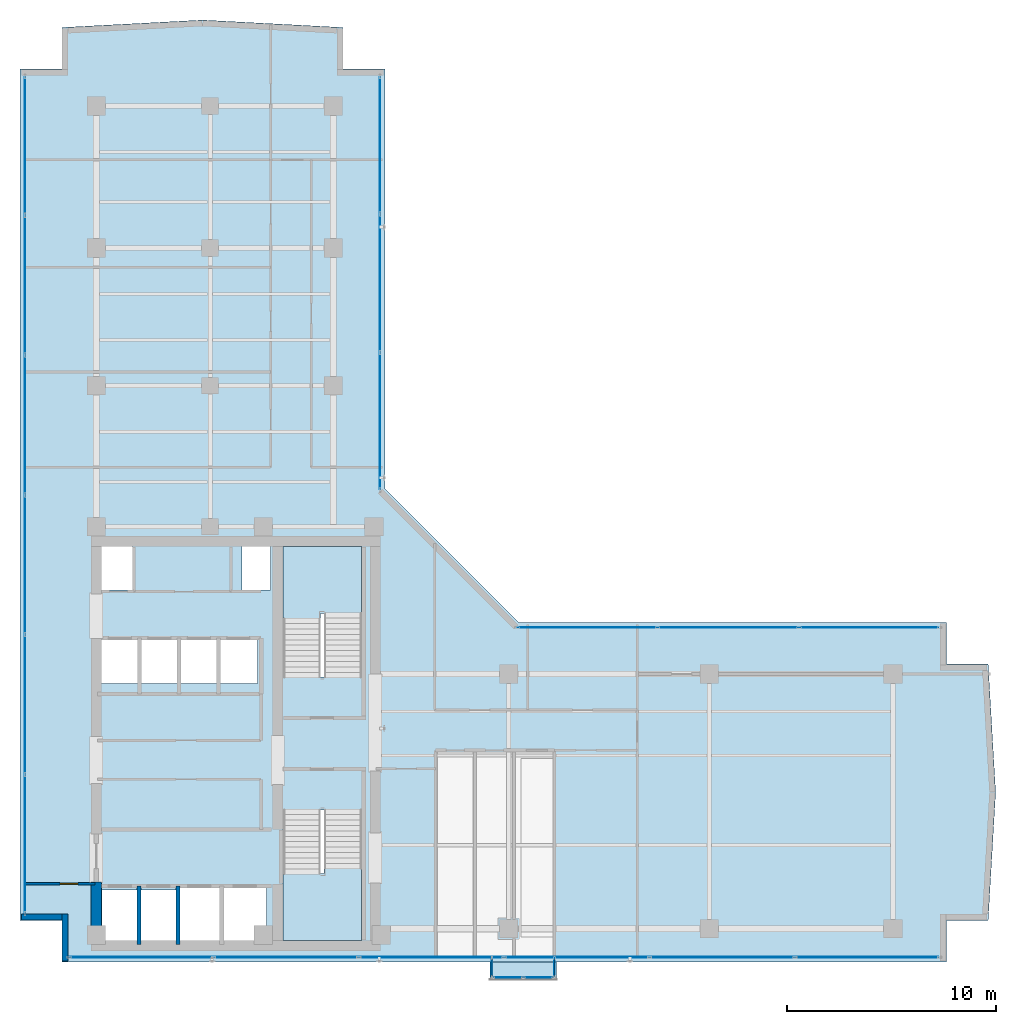
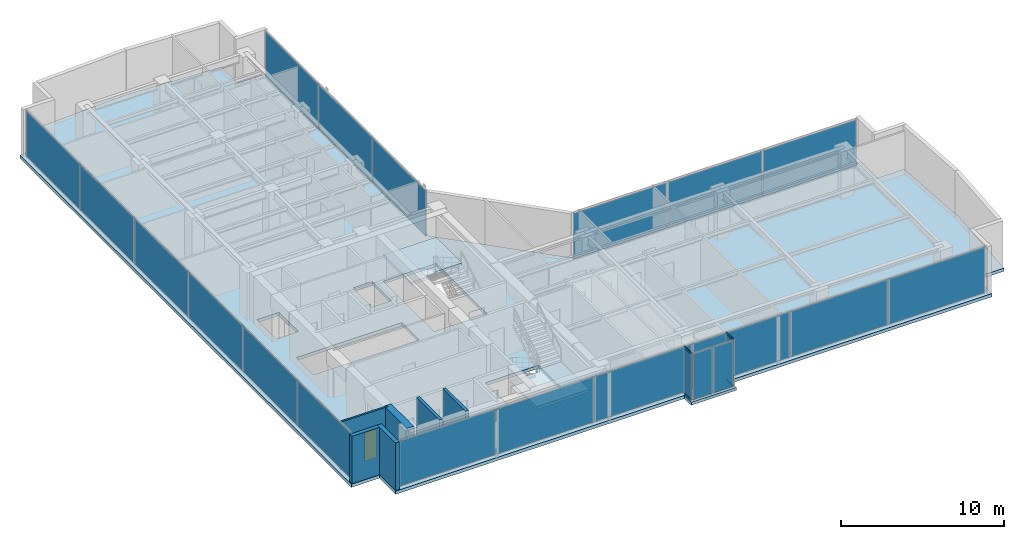
# One storey, part 16 of 22: 22 plates, 6 walls, 4 members, 4 slabs, 1 door, 1 opening, 9 elements without a shape of their own.
"""IFC4 building model written with IfcOpenShell, lengths in metres."""

from ifc_helpers import new_model, si_unit, direction, frame, frame_2d, origin, origin_with_axes, origin_2d, place, context, subcontext, project, spatial, polyline, rectangle, hollow_rectangle, outline, extrude, source, transform, mapped, material, layer, layer_set, material_profile, profile_set, type_object, element, fill, aggregate, save


model = new_model("IFC4")

# Units and contexts
model_context = context("Model", 3, precision=1e-05, world=origin(), true_north=direction((0.0, 1.0)))
body_context = subcontext(model_context, "Body", "Model", "MODEL_VIEW")
ifc_project = project(units=[si_unit("LENGTHUNIT", "METRE"), si_unit("AREAUNIT", "SQUARE_METRE"), si_unit("VOLUMEUNIT", "CUBIC_METRE"), si_unit("PLANEANGLEUNIT", "RADIAN"), si_unit("MASSUNIT", "GRAM", prefix="KILO")], contexts=[model_context])

# Site, building, storey
site_placement = place(None, origin())
site = spatial("IfcSite", under=ifc_project, at=site_placement, CompositionType="ELEMENT")
building_placement = place(site_placement, origin())
building = spatial("IfcBuilding", under=site, at=building_placement, Name="Kolvaren Waterfront Exchange", CompositionType="ELEMENT")
storey_placement = place(building_placement, frame((0.0, 0.0, 308.39990234375)))
storey = spatial("IfcBuildingStorey", under=building, at=storey_placement, Name="L79", CompositionType="ELEMENT", Elevation=308.39990234375)

# Curtain wall, members
ifc_material_1 = material(Name="Anodised bronze aluminium 6063-T6", Category="aluminium")
ifc_layer_1 = layer(ifc_material_1, 0.219970703125, Name="Anodised bronze aluminium 6063-T6")
ifc_layer_set_1 = layer_set([ifc_layer_1], Name="Anodised bronze aluminium 6063-T6")
curtain_wall_type_1 = type_object("IfcCurtainWallType", Name="ARC-CW-SYS3", PredefinedType="USERDEFINED", material=ifc_layer_set_1)
curtain_wall_1_placement = place(storey_placement, origin())
curtain_wall_1 = element("IfcCurtainWall", 1, at=curtain_wall_1_placement, inside=storey, type_object=curtain_wall_type_1, Name="L79 stick curtain wall CW3 (CW-L79-BOX-W)", ObjectType="STICK CURTAIN WALL", PredefinedType="USERDEFINED")
ifc_material_profile = material_profile(ifc_material_1, hollow_rectangle(XDim=0.06494140625, YDim=0.1298828125, WallThickness=0.00390625, at=origin_2d()), Name="ALU-TRN-130x65x4")
ifc_profile_set = profile_set([ifc_material_profile], Name="Anodised bronze aluminium 6063-T6")
member_type = type_object("IfcMemberType", Name="ARC-CWT-130", PredefinedType="USERDEFINED", material=ifc_profile_set)
shared_shape_1 = source(origin_with_axes(), body_context, "Body", "SweptSolid", [
    extrude(hollow_rectangle(XDim=0.06494140625, YDim=0.1298828125, WallThickness=0.00390625, at=origin_2d()), origin(), (0.0, 0.0, 1.0), 0.829833984375),
])
member_1_placement = place(storey_placement, frame((26.409912109375, 3.764892578125, 0.03271484375), z_axis=(0.0, -1.0, 0.0), x_axis=(1.0, 0.0, 0.0)))
member_1 = element("IfcMember", 2, at=member_1_placement, type_object=member_type, Name="CW3 transom 1.1", ObjectType="TRANSOM", PredefinedType="USERDEFINED", context=body_context, shape_type="MappedRepresentation", body=[
    mapped(shared_shape_1, transform((0.0, 0.0, 0.0), x_axis=(1.0, 0.0, 0.0), y_axis=(0.0, 1.0, 0.0), z_axis=(0.0, 0.0, 1.0), scale=1.0)),
])
member_2_placement = place(storey_placement, frame((26.409912109375, 3.764892578125, 3.527587890625), z_axis=(0.0, -1.0, 0.0), x_axis=(1.0, 0.0, 0.0)))
member_2 = element("IfcMember", 3, at=member_2_placement, type_object=member_type, Name="CW3 transom 1.2", ObjectType="TRANSOM", PredefinedType="USERDEFINED", context=body_context, shape_type="MappedRepresentation", body=[
    mapped(shared_shape_1, transform((0.0, 0.0, 0.0), x_axis=(1.0, 0.0, 0.0), y_axis=(0.0, 1.0, 0.0), z_axis=(0.0, 0.0, 1.0), scale=1.0)),
])

curtain_wall_2_placement = place(storey_placement, origin())
curtain_wall_2 = element("IfcCurtainWall", 4, at=curtain_wall_2_placement, inside=storey, type_object=curtain_wall_type_1, Name="L79 stick curtain wall CW3 (CW-L79-BOX-E)", ObjectType="STICK CURTAIN WALL", PredefinedType="USERDEFINED")
member_3_placement = place(storey_placement, frame((29.389892578125, 2.93505859375, 0.03271484375), z_axis=(0.0, 1.0, 0.0), x_axis=(-1.0, 0.0, 0.0)))
member_3 = element("IfcMember", 5, at=member_3_placement, type_object=member_type, Name="CW3 transom 1.1", ObjectType="TRANSOM", PredefinedType="USERDEFINED", context=body_context, shape_type="MappedRepresentation", body=[
    mapped(shared_shape_1, transform((0.0, 0.0, 0.0), x_axis=(1.0, 0.0, 0.0), y_axis=(0.0, 1.0, 0.0), z_axis=(0.0, 0.0, 1.0), scale=1.0)),
])
member_4_placement = place(storey_placement, frame((29.389892578125, 2.93505859375, 3.527587890625), z_axis=(0.0, 1.0, 0.0), x_axis=(-1.0, 0.0, 0.0)))
member_4 = element("IfcMember", 6, at=member_4_placement, type_object=member_type, Name="CW3 transom 1.2", ObjectType="TRANSOM", PredefinedType="USERDEFINED", context=body_context, shape_type="MappedRepresentation", body=[
    mapped(shared_shape_1, transform((0.0, 0.0, 0.0), x_axis=(1.0, 0.0, 0.0), y_axis=(0.0, 1.0, 0.0), z_axis=(0.0, 0.0, 1.0), scale=1.0)),
])

# Stair, slab
ifc_material_2 = material(Name="Concrete C40/50", Category="concrete")
stair_type = type_object("IfcStairType", Name="ARC-STAIR-3800", PredefinedType="HALF_TURN_STAIR", material=ifc_material_2)
stair_1_placement = place(storey_placement, origin())
stair_1 = element("IfcStair", 7, at=stair_1_placement, inside=storey, type_object=stair_type, Name="L79 Smoke-proof exit stair ST1", PredefinedType="HALF_TURN_STAIR")
ifc_layer_2 = layer(ifc_material_2, 0.199951171875, Name="Concrete C40/50")
ifc_layer_set_2 = layer_set([ifc_layer_2], Name="Concrete C40/50")
slab_type_1 = type_object("IfcSlabType", Name="STR-LANDING-200", PredefinedType="LANDING", material=ifc_layer_set_2)
slab_1_placement = place(storey_placement, frame((0.0, 0.0, 1.776123046875)))
slab_1 = element("IfcSlab", 8, at=slab_1_placement, type_object=slab_type_1, Name="ST1 landing 1", PredefinedType="LANDING", context=body_context, shape_type="SweptSolid", body=[
    extrude(outline(polyline([(16.39990234375, 7.840087890625), (16.39990234375, 4.64990234375), (20.159912109375, 4.64990234375), (20.159912109375, 8.10009765625), (18.360107421875, 8.10009765625), (18.360107421875, 7.840087890625), (16.39990234375, 7.840087890625)])), origin(), (0.0, 0.0, 1.0), 0.199951171875),
])
aggregate(stair_1, [slab_1])

stair_2_placement = place(storey_placement, origin())
stair_2 = element("IfcStair", 9, at=stair_2_placement, inside=storey, type_object=stair_type, Name="L79 Smoke-proof exit stair ST2", PredefinedType="HALF_TURN_STAIR")
slab_2_placement = place(storey_placement, frame((0.0, 0.0, 1.776123046875)))
slab_2 = element("IfcSlab", 10, at=slab_2_placement, type_object=slab_type_1, Name="ST2 landing 1", PredefinedType="LANDING", context=body_context, shape_type="SweptSolid", body=[
    extrude(outline(polyline([(20.159912109375, 20.31005859375), (20.159912109375, 23.5), (16.39990234375, 23.5), (16.39990234375, 20.050048828125), (18.199951171875, 20.050048828125), (18.199951171875, 20.31005859375), (20.159912109375, 20.31005859375)])), origin(), (0.0, 0.0, 1.0), 0.199951171875),
])
aggregate(stair_2, [slab_2])

# Slabs
ifc_layer_3 = layer(ifc_material_2, 0.239990234375, Name="Concrete C40/50")
ifc_layer_set_3 = layer_set([ifc_layer_3], Name="Concrete C40/50")
slab_type_2 = type_object("IfcSlabType", Name="STR-SLAB-240", PredefinedType="FLOOR", material=ifc_layer_set_3)
slab_3_placement = place(storey_placement, frame((0.0, 0.0, -0.239990234375)))
element("IfcSlab", 11, at=slab_3_placement, inside=storey, type_object=slab_type_2, Name="L79 structural floor slab", PredefinedType="FLOOR", context=body_context, shape_type="SweptSolid", body=[
    extrude(outline(polyline([(5.800048828125, 3.60009765625), (48.157958984375, 3.60009765625), (48.157958984375, 5.60009765625), (50.157958984375, 5.60009765625), (50.515869140625, 11.73681640625), (50.157958984375, 17.873779296875), (48.157958984375, 17.873779296875), (48.157958984375, 19.873779296875), (27.673583984375, 19.873779296875), (21.273681640625, 26.273681640625), (21.273681640625, 46.35791015625), (19.273681640625, 46.35791015625), (19.273681640625, 48.35791015625), (12.536865234375, 48.7158203125), (5.800048828125, 48.35791015625), (5.800048828125, 46.35791015625), (3.800048828125, 46.35791015625), (3.800048828125, 5.60009765625), (5.800048828125, 5.60009765625), (5.800048828125, 3.60009765625)]), holes=[polyline([(11.320068359375, 7.260009765625), (15.610107421875, 7.260009765625), (15.610107421875, 4.5400390625), (7.719970703125, 4.5400390625), (7.719970703125, 7.06005859375), (11.320068359375, 7.06005859375), (11.320068359375, 7.260009765625)]), polyline([(20.159912109375, 10.89990234375), (20.159912109375, 4.64990234375), (16.39990234375, 4.64990234375), (16.39990234375, 10.89990234375), (20.159912109375, 10.89990234375)]), polyline([(7.669921875, 19.06005859375), (15.159912109375, 19.06005859375), (15.159912109375, 16.93994140625), (7.669921875, 16.93994140625), (7.669921875, 19.06005859375)]), polyline([(16.39990234375, 17.25), (16.39990234375, 23.5), (20.159912109375, 23.5), (20.159912109375, 17.25), (16.39990234375, 17.25)]), polyline([(7.60009765625, 23.780029296875), (9.179931640625, 23.780029296875), (9.179931640625, 21.419921875), (7.60009765625, 21.419921875), (7.60009765625, 23.780029296875)]), polyline([(14.419921875, 23.780029296875), (15.800048828125, 23.780029296875), (15.800048828125, 21.419921875), (14.419921875, 21.419921875), (14.419921875, 23.780029296875)])]), origin(), (0.0, 0.0, 1.0), 0.239990234375),
])
ifc_layer_4 = layer(ifc_material_2, 0.219970703125, Name="Concrete C40/50")
ifc_layer_set_4 = layer_set([ifc_layer_4], Name="Concrete C40/50")
slab_type_3 = type_object("IfcSlabType", Name="STR-TERR-220", PredefinedType="FLOOR", material=ifc_layer_set_4)
slab_4_placement = place(storey_placement, frame((0.0, 0.0, -0.219970703125)))
element("IfcSlab", 12, at=slab_4_placement, inside=storey, type_object=slab_type_3, Name="L79 projecting bay-box floor strip", PredefinedType="FLOOR", context=body_context, shape_type="SweptSolid", body=[
    extrude(outline(polyline([(26.300048828125, 2.75), (29.5, 2.75), (29.5, 3.60009765625), (26.300048828125, 3.60009765625), (26.300048828125, 2.75)])), origin(), (0.0, 0.0, 1.0), 0.219970703125),
])

# Plate
ifc_material_3 = material(Name="Bronze tinted bay-box vision glass", Category="aluminium")
ifc_layer_5 = layer(ifc_material_3, 0.02392578125, Name="Bronze tinted bay-box vision glass")
ifc_layer_set_5 = layer_set([ifc_layer_5], Name="Bronze tinted bay-box vision glass")
plate_type_1 = type_object("IfcPlateType", Name="ARC-CWP-24", PredefinedType="CURTAIN_PANEL", material=ifc_layer_set_5)
shared_shape_2 = source(origin_with_axes(), body_context, "Body", "SweptSolid", [
    extrude(rectangle(XDim=0.830078125, YDim=0.02392578125, at=origin_2d()), origin(), (0.0, 0.0, 1.0), 3.429931640625),
])
plate_1_placement = place(storey_placement, frame((26.409912109375, 3.35009765625, 0.06494140625), z_axis=(0.0, 0.0, 1.0), x_axis=(0.0, -1.0, 0.0)))
plate_1 = element("IfcPlate", 13, at=plate_1_placement, type_object=plate_type_1, Name="CW3 panel 1.1", PredefinedType="CURTAIN_PANEL", context=body_context, shape_type="MappedRepresentation", body=[
    mapped(shared_shape_2, transform((0.0, 0.0, 0.0), x_axis=(1.0, 0.0, 0.0), y_axis=(0.0, 1.0, 0.0), z_axis=(0.0, 0.0, 1.0), scale=1.0)),
])

aggregate(curtain_wall_1, [member_1, member_2, plate_1])

plate_2_placement = place(storey_placement, frame((29.389892578125, 3.35009765625, 0.06494140625), z_axis=(0.0, 0.0, 1.0), x_axis=(0.0, 1.0, 0.0)))
plate_2 = element("IfcPlate", 14, at=plate_2_placement, type_object=plate_type_1, Name="CW3 panel 1.1", PredefinedType="CURTAIN_PANEL", context=body_context, shape_type="MappedRepresentation", body=[
    mapped(shared_shape_2, transform((0.0, 0.0, 0.0), x_axis=(1.0, 0.0, 0.0), y_axis=(0.0, 1.0, 0.0), z_axis=(0.0, 0.0, 1.0), scale=1.0)),
])

aggregate(curtain_wall_2, [member_3, member_4, plate_2])

# Curtain wall, plates
curtain_wall_3_placement = place(storey_placement, origin())
curtain_wall_3 = element("IfcCurtainWall", 15, at=curtain_wall_3_placement, inside=storey, type_object=curtain_wall_type_1, Name="L79 stick curtain wall CW3 (CW-L79-BOX)", ObjectType="STICK CURTAIN WALL", PredefinedType="USERDEFINED")
shared_shape_3 = source(origin_with_axes(), body_context, "Body", "SweptSolid", [
    extrude(rectangle(XDim=1.37744140625, YDim=0.02392578125, at=origin_2d()), origin(), (0.0, 0.0, 1.0), 3.429931640625),
])
plate_3_placement = place(storey_placement, frame((27.173828125, 2.860107421875, 0.06494140625), z_axis=(0.0, 0.0, 1.0), x_axis=(1.0, 0.0, 0.0)))
plate_3 = element("IfcPlate", 16, at=plate_3_placement, type_object=plate_type_1, Name="CW3 panel 1.1", PredefinedType="CURTAIN_PANEL", context=body_context, shape_type="MappedRepresentation", body=[
    mapped(shared_shape_3, transform((0.0, 0.0, 0.0), x_axis=(1.0, 0.0, 0.0), y_axis=(0.0, 1.0, 0.0), z_axis=(0.0, 0.0, 1.0), scale=1.0)),
])
plate_4_placement = place(storey_placement, frame((28.626220703125, 2.860107421875, 0.06494140625), z_axis=(0.0, 0.0, 1.0), x_axis=(1.0, 0.0, 0.0)))
plate_4 = element("IfcPlate", 17, at=plate_4_placement, type_object=plate_type_1, Name="CW3 panel 2.1", PredefinedType="CURTAIN_PANEL", context=body_context, shape_type="MappedRepresentation", body=[
    mapped(shared_shape_3, transform((0.0, 0.0, 0.0), x_axis=(1.0, 0.0, 0.0), y_axis=(0.0, 1.0, 0.0), z_axis=(0.0, 0.0, 1.0), scale=1.0)),
])
aggregate(curtain_wall_3, [plate_3, plate_4])

ifc_layer_6 = layer(ifc_material_1, 0.219970703125, Name="Anodised bronze aluminium 6063-T6")
ifc_layer_set_6 = layer_set([ifc_layer_6], Name="Anodised bronze aluminium 6063-T6")
curtain_wall_type_2 = type_object("IfcCurtainWallType", Name="ARC-CW-SYS1", PredefinedType="USERDEFINED", material=ifc_layer_set_6)
curtain_wall_4_placement = place(storey_placement, origin())
curtain_wall_4 = element("IfcCurtainWall", 18, at=curtain_wall_4_placement, inside=storey, type_object=curtain_wall_type_2, Name="L79 stick curtain wall CW1 (CW-L79-S)", ObjectType="STICK CURTAIN WALL", PredefinedType="USERDEFINED")
ifc_material_4 = material(Name="Bronze solar control vision glass", Category="aluminium")
ifc_layer_7 = layer(ifc_material_4, 0.028076171875, Name="Bronze solar control vision glass")
ifc_layer_set_7 = layer_set([ifc_layer_7], Name="Bronze solar control vision glass")
plate_type_2 = type_object("IfcPlateType", Name="ARC-CWP-28", PredefinedType="CURTAIN_PANEL", material=ifc_layer_set_7)
shared_shape_4 = source(origin_with_axes(), body_context, "Body", "SweptSolid", [
    extrude(rectangle(XDim=6.839599609375, YDim=0.028076171875, at=origin_2d()), origin(), (0.0, 0.0, 1.0), 3.409912109375),
])
plate_5_placement = place(storey_placement, frame((9.599853515625, 3.840087890625, 0.0751953125), z_axis=(0.0, 0.0, 1.0), x_axis=(1.0, 0.0, 0.0)))
plate_5 = element("IfcPlate", 19, at=plate_5_placement, type_object=plate_type_2, Name="CW1 panel 1.1", PredefinedType="CURTAIN_PANEL", context=body_context, shape_type="MappedRepresentation", body=[
    mapped(shared_shape_4, transform((0.0, 0.0, 0.0), x_axis=(1.0, 0.0, 0.0), y_axis=(0.0, 1.0, 0.0), z_axis=(0.0, 0.0, 1.0), scale=1.0)),
])
plate_6_placement = place(storey_placement, frame((44.358154296875, 3.840087890625, 0.0751953125), z_axis=(0.0, 0.0, 1.0), x_axis=(1.0, 0.0, 0.0)))
plate_6 = element("IfcPlate", 20, at=plate_6_placement, type_object=plate_type_2, Name="CW1 panel 6.1", PredefinedType="CURTAIN_PANEL", context=body_context, shape_type="MappedRepresentation", body=[
    mapped(shared_shape_4, transform((0.0, 0.0, 0.0), x_axis=(1.0, 0.0, 0.0), y_axis=(0.0, 1.0, 0.0), z_axis=(0.0, 0.0, 1.0), scale=1.0)),
])
shared_shape_5 = source(origin_with_axes(), body_context, "Body", "SweptSolid", [
    extrude(rectangle(XDim=6.879638671875, YDim=0.028076171875, at=origin_2d()), origin(), (0.0, 0.0, 1.0), 3.409912109375),
])
plate_7_placement = place(storey_placement, frame((16.53955078125, 3.840087890625, 0.0751953125), z_axis=(0.0, 0.0, 1.0), x_axis=(1.0, 0.0, 0.0)))
plate_7 = element("IfcPlate", 21, at=plate_7_placement, type_object=plate_type_2, Name="CW1 panel 2.1", PredefinedType="CURTAIN_PANEL", context=body_context, shape_type="MappedRepresentation", body=[
    mapped(shared_shape_5, transform((0.0, 0.0, 0.0), x_axis=(1.0, 0.0, 0.0), y_axis=(0.0, 1.0, 0.0), z_axis=(0.0, 0.0, 1.0), scale=1.0)),
])
plate_8_placement = place(storey_placement, frame((23.4990234375, 3.840087890625, 0.0751953125), z_axis=(0.0, 0.0, 1.0), x_axis=(1.0, 0.0, 0.0)))
plate_8 = element("IfcPlate", 22, at=plate_8_placement, type_object=plate_type_2, Name="CW1 panel 3.1", PredefinedType="CURTAIN_PANEL", context=body_context, shape_type="MappedRepresentation", body=[
    mapped(shared_shape_5, transform((0.0, 0.0, 0.0), x_axis=(1.0, 0.0, 0.0), y_axis=(0.0, 1.0, 0.0), z_axis=(0.0, 0.0, 1.0), scale=1.0)),
])
plate_9_placement = place(storey_placement, frame((30.458740234375, 3.840087890625, 0.0751953125), z_axis=(0.0, 0.0, 1.0), x_axis=(1.0, 0.0, 0.0)))
plate_9 = element("IfcPlate", 23, at=plate_9_placement, type_object=plate_type_2, Name="CW1 panel 4.1", PredefinedType="CURTAIN_PANEL", context=body_context, shape_type="MappedRepresentation", body=[
    mapped(shared_shape_5, transform((0.0, 0.0, 0.0), x_axis=(1.0, 0.0, 0.0), y_axis=(0.0, 1.0, 0.0), z_axis=(0.0, 0.0, 1.0), scale=1.0)),
])
plate_10_placement = place(storey_placement, frame((37.41845703125, 3.840087890625, 0.0751953125), z_axis=(0.0, 0.0, 1.0), x_axis=(1.0, 0.0, 0.0)))
plate_10 = element("IfcPlate", 24, at=plate_10_placement, type_object=plate_type_2, Name="CW1 panel 5.1", PredefinedType="CURTAIN_PANEL", context=body_context, shape_type="MappedRepresentation", body=[
    mapped(shared_shape_5, transform((0.0, 0.0, 0.0), x_axis=(1.0, 0.0, 0.0), y_axis=(0.0, 1.0, 0.0), z_axis=(0.0, 0.0, 1.0), scale=1.0)),
])
aggregate(curtain_wall_4, [plate_5, plate_7, plate_8, plate_9, plate_10, plate_6])

ifc_material_5 = material(Name="Anodised aluminium 6063-T6", Category="aluminium")
ifc_layer_8 = layer(ifc_material_5, 0.219970703125, Name="Anodised aluminium 6063-T6")
ifc_layer_set_8 = layer_set([ifc_layer_8], Name="Anodised aluminium 6063-T6")
curtain_wall_type_3 = type_object("IfcCurtainWallType", Name="ARC-CW-SYS2", PredefinedType="USERDEFINED", material=ifc_layer_set_8)
curtain_wall_5_placement = place(storey_placement, origin())
curtain_wall_5 = element("IfcCurtainWall", 25, at=curtain_wall_5_placement, inside=storey, type_object=curtain_wall_type_3, Name="L79 stick curtain wall CW2 (CW-L79-W)", ObjectType="STICK CURTAIN WALL", PredefinedType="USERDEFINED")
ifc_material_6 = material(Name="Acoustic laminated vision glass", Category="glass")
ifc_layer_9 = layer(ifc_material_6, 0.031982421875, Name="Acoustic laminated vision glass")
ifc_layer_set_9 = layer_set([ifc_layer_9], Name="Acoustic laminated vision glass")
plate_type_3 = type_object("IfcPlateType", Name="ARC-CWP-32", PredefinedType="CURTAIN_PANEL", material=ifc_layer_set_9)
shared_shape_6 = source(origin_with_axes(), body_context, "Body", "SweptSolid", [
    extrude(rectangle(XDim=6.572998046875, YDim=0.031982421875, at=origin_2d()), origin(), (0.0, 0.0, 1.0), 3.409912109375),
])
plate_11_placement = place(storey_placement, frame((4.0400390625, 9.2666015625, 0.0751953125), z_axis=(0.0, 0.0, 1.0), x_axis=(0.0, 1.0, 0.0)))
plate_11 = element("IfcPlate", 26, at=plate_11_placement, type_object=plate_type_3, Name="CW2 panel 1.1", PredefinedType="CURTAIN_PANEL", context=body_context, shape_type="MappedRepresentation", body=[
    mapped(shared_shape_6, transform((0.0, 0.0, 0.0), x_axis=(1.0, 0.0, 0.0), y_axis=(0.0, 1.0, 0.0), z_axis=(0.0, 0.0, 1.0), scale=1.0)),
])
plate_12_placement = place(storey_placement, frame((4.0400390625, 42.69140625, 0.0751953125), z_axis=(0.0, 0.0, 1.0), x_axis=(0.0, 1.0, 0.0)))
plate_12 = element("IfcPlate", 27, at=plate_12_placement, type_object=plate_type_3, Name="CW2 panel 6.1", PredefinedType="CURTAIN_PANEL", context=body_context, shape_type="MappedRepresentation", body=[
    mapped(shared_shape_6, transform((0.0, 0.0, 0.0), x_axis=(1.0, 0.0, 0.0), y_axis=(0.0, 1.0, 0.0), z_axis=(0.0, 0.0, 1.0), scale=1.0)),
])
shared_shape_7 = source(origin_with_axes(), body_context, "Body", "SweptSolid", [
    extrude(rectangle(XDim=6.613037109375, YDim=0.031982421875, at=origin_2d()), origin(), (0.0, 0.0, 1.0), 3.409912109375),
])
plate_13_placement = place(storey_placement, frame((4.0400390625, 15.939453125, 0.0751953125), z_axis=(0.0, 0.0, 1.0), x_axis=(0.0, 1.0, 0.0)))
plate_13 = element("IfcPlate", 28, at=plate_13_placement, type_object=plate_type_3, Name="CW2 panel 2.1", PredefinedType="CURTAIN_PANEL", context=body_context, shape_type="MappedRepresentation", body=[
    mapped(shared_shape_7, transform((0.0, 0.0, 0.0), x_axis=(1.0, 0.0, 0.0), y_axis=(0.0, 1.0, 0.0), z_axis=(0.0, 0.0, 1.0), scale=1.0)),
])
plate_14_placement = place(storey_placement, frame((4.0400390625, 22.632568359375, 0.0751953125), z_axis=(0.0, 0.0, 1.0), x_axis=(0.0, 1.0, 0.0)))
plate_14 = element("IfcPlate", 29, at=plate_14_placement, type_object=plate_type_3, Name="CW2 panel 3.1", PredefinedType="CURTAIN_PANEL", context=body_context, shape_type="MappedRepresentation", body=[
    mapped(shared_shape_7, transform((0.0, 0.0, 0.0), x_axis=(1.0, 0.0, 0.0), y_axis=(0.0, 1.0, 0.0), z_axis=(0.0, 0.0, 1.0), scale=1.0)),
])
plate_15_placement = place(storey_placement, frame((4.0400390625, 29.325439453125, 0.0751953125), z_axis=(0.0, 0.0, 1.0), x_axis=(0.0, 1.0, 0.0)))
plate_15 = element("IfcPlate", 30, at=plate_15_placement, type_object=plate_type_3, Name="CW2 panel 4.1", PredefinedType="CURTAIN_PANEL", context=body_context, shape_type="MappedRepresentation", body=[
    mapped(shared_shape_7, transform((0.0, 0.0, 0.0), x_axis=(1.0, 0.0, 0.0), y_axis=(0.0, 1.0, 0.0), z_axis=(0.0, 0.0, 1.0), scale=1.0)),
])
plate_16_placement = place(storey_placement, frame((4.0400390625, 36.018310546875, 0.0751953125), z_axis=(0.0, 0.0, 1.0), x_axis=(0.0, 1.0, 0.0)))
plate_16 = element("IfcPlate", 31, at=plate_16_placement, type_object=plate_type_3, Name="CW2 panel 5.1", PredefinedType="CURTAIN_PANEL", context=body_context, shape_type="MappedRepresentation", body=[
    mapped(shared_shape_7, transform((0.0, 0.0, 0.0), x_axis=(1.0, 0.0, 0.0), y_axis=(0.0, 1.0, 0.0), z_axis=(0.0, 0.0, 1.0), scale=1.0)),
])
aggregate(curtain_wall_5, [plate_11, plate_13, plate_14, plate_15, plate_16, plate_12])

curtain_wall_6_placement = place(storey_placement, origin())
curtain_wall_6 = element("IfcCurtainWall", 32, at=curtain_wall_6_placement, inside=storey, type_object=curtain_wall_type_2, Name="L79 stick curtain wall CW1 (CW-L79-NE)", ObjectType="STICK CURTAIN WALL", PredefinedType="USERDEFINED")
shared_shape_8 = source(origin_with_axes(), body_context, "Body", "SweptSolid", [
    extrude(rectangle(XDim=6.511474609375, YDim=0.028076171875, at=origin_2d()), origin(), (0.0, 0.0, 1.0), 3.409912109375),
])
plate_17_placement = place(storey_placement, frame((21.03369140625, 29.49951171875, 0.0751953125), z_axis=(0.0, 0.0, 1.0), x_axis=(0.0, 1.0, 0.0)))
plate_17 = element("IfcPlate", 33, at=plate_17_placement, type_object=plate_type_2, Name="CW1 panel 1.1", PredefinedType="CURTAIN_PANEL", context=body_context, shape_type="MappedRepresentation", body=[
    mapped(shared_shape_8, transform((0.0, 0.0, 0.0), x_axis=(1.0, 0.0, 0.0), y_axis=(0.0, 1.0, 0.0), z_axis=(0.0, 0.0, 1.0), scale=1.0)),
])
plate_18_placement = place(storey_placement, frame((21.03369140625, 42.72216796875, 0.0751953125), z_axis=(0.0, 0.0, 1.0), x_axis=(0.0, 1.0, 0.0)))
plate_18 = element("IfcPlate", 34, at=plate_18_placement, type_object=plate_type_2, Name="CW1 panel 3.1", PredefinedType="CURTAIN_PANEL", context=body_context, shape_type="MappedRepresentation", body=[
    mapped(shared_shape_8, transform((0.0, 0.0, 0.0), x_axis=(1.0, 0.0, 0.0), y_axis=(0.0, 1.0, 0.0), z_axis=(0.0, 0.0, 1.0), scale=1.0)),
])
shared_shape_9 = source(origin_with_axes(), body_context, "Body", "SweptSolid", [
    extrude(rectangle(XDim=6.551513671875, YDim=0.028076171875, at=origin_2d()), origin(), (0.0, 0.0, 1.0), 3.409912109375),
])
plate_19_placement = place(storey_placement, frame((21.03369140625, 36.11083984375, 0.0751953125), z_axis=(0.0, 0.0, 1.0), x_axis=(0.0, 1.0, 0.0)))
plate_19 = element("IfcPlate", 35, at=plate_19_placement, type_object=plate_type_2, Name="CW1 panel 2.1", PredefinedType="CURTAIN_PANEL", context=body_context, shape_type="MappedRepresentation", body=[
    mapped(shared_shape_9, transform((0.0, 0.0, 0.0), x_axis=(1.0, 0.0, 0.0), y_axis=(0.0, 1.0, 0.0), z_axis=(0.0, 0.0, 1.0), scale=1.0)),
])
aggregate(curtain_wall_6, [plate_17, plate_19, plate_18])

curtain_wall_7_placement = place(storey_placement, origin())
curtain_wall_7 = element("IfcCurtainWall", 36, at=curtain_wall_7_placement, inside=storey, type_object=curtain_wall_type_2, Name="L79 stick curtain wall CW1 (CW-L79-EN)", ObjectType="STICK CURTAIN WALL", PredefinedType="USERDEFINED")
shared_shape_10 = source(origin_with_axes(), body_context, "Body", "SweptSolid", [
    extrude(rectangle(XDim=6.644775390625, YDim=0.028076171875, at=origin_2d()), origin(), (0.0, 0.0, 1.0), 3.409912109375),
])
plate_20_placement = place(storey_placement, frame((30.966064453125, 19.6337890625, 0.0751953125), z_axis=(0.0, 0.0, 1.0), x_axis=(1.0, 0.0, 0.0)))
plate_20 = element("IfcPlate", 37, at=plate_20_placement, type_object=plate_type_2, Name="CW1 panel 1.1", PredefinedType="CURTAIN_PANEL", context=body_context, shape_type="MappedRepresentation", body=[
    mapped(shared_shape_10, transform((0.0, 0.0, 0.0), x_axis=(1.0, 0.0, 0.0), y_axis=(0.0, 1.0, 0.0), z_axis=(0.0, 0.0, 1.0), scale=1.0)),
])
plate_21_placement = place(storey_placement, frame((44.45556640625, 19.6337890625, 0.0751953125), z_axis=(0.0, 0.0, 1.0), x_axis=(1.0, 0.0, 0.0)))
plate_21 = element("IfcPlate", 38, at=plate_21_placement, type_object=plate_type_2, Name="CW1 panel 3.1", PredefinedType="CURTAIN_PANEL", context=body_context, shape_type="MappedRepresentation", body=[
    mapped(shared_shape_10, transform((0.0, 0.0, 0.0), x_axis=(1.0, 0.0, 0.0), y_axis=(0.0, 1.0, 0.0), z_axis=(0.0, 0.0, 1.0), scale=1.0)),
])
shared_shape_11 = source(origin_with_axes(), body_context, "Body", "SweptSolid", [
    extrude(rectangle(XDim=6.684814453125, YDim=0.028076171875, at=origin_2d()), origin(), (0.0, 0.0, 1.0), 3.409912109375),
])
plate_22_placement = place(storey_placement, frame((37.710693359375, 19.6337890625, 0.0751953125), z_axis=(0.0, 0.0, 1.0), x_axis=(1.0, 0.0, 0.0)))
plate_22 = element("IfcPlate", 39, at=plate_22_placement, type_object=plate_type_2, Name="CW1 panel 2.1", PredefinedType="CURTAIN_PANEL", context=body_context, shape_type="MappedRepresentation", body=[
    mapped(shared_shape_11, transform((0.0, 0.0, 0.0), x_axis=(1.0, 0.0, 0.0), y_axis=(0.0, 1.0, 0.0), z_axis=(0.0, 0.0, 1.0), scale=1.0)),
])
aggregate(curtain_wall_7, [plate_20, plate_22, plate_21])

# Walls
ifc_material_7 = material(Name="Precast concrete C40/50", Category="concrete")
ifc_layer_10 = layer(ifc_material_7, 0.280029296875, Name="Precast concrete C40/50")
ifc_layer_set_10 = layer_set([ifc_layer_10], Name="Precast concrete C40/50")
wall_type_1 = type_object("IfcWallType", Name="ARC-EXT-TERR-280", PredefinedType="SOLIDWALL", material=ifc_layer_set_10)
wall_1_placement = place(storey_placement, frame((5.9599609375, 3.659912109375, 0.0), z_axis=(0.0, 0.0, 1.0), x_axis=(0.0, 1.0, 0.0)))
element("IfcWall", 40, at=wall_1_placement, inside=storey, type_object=wall_type_1, Name="L79 notched corner spandrel pier SW-A", PredefinedType="SOLIDWALL", context=body_context, shape_type="SweptSolid", body=[
    extrude(rectangle(XDim=2.239990234375, YDim=0.280029296875, at=frame_2d((1.1201171875, 0.0))), origin(), (0.0, 0.0, 1.0), 3.56005859375),
])
wall_2_placement = place(storey_placement, frame((3.860107421875, 5.760009765625, 0.0), z_axis=(0.0, 0.0, 1.0), x_axis=(1.0, 0.0, 0.0)))
element("IfcWall", 41, at=wall_2_placement, inside=storey, type_object=wall_type_1, Name="L79 notched corner spandrel pier SW-B", PredefinedType="SOLIDWALL", context=body_context, shape_type="SweptSolid", body=[
    extrude(rectangle(XDim=1.9599609375, YDim=0.280029296875, at=frame_2d((0.97998046875, 0.0))), origin(), (0.0, 0.0, 1.0), 3.56005859375),
])

# Wall, opening, door
ifc_material_8 = material(Name="Acoustic gypsum steel stud", Category="steel")
ifc_layer_11 = layer(ifc_material_8, 0.125, Name="Acoustic gypsum steel stud")
ifc_layer_set_11 = layer_set([ifc_layer_11], Name="Acoustic gypsum steel stud")
wall_type_2 = type_object("IfcWallType", Name="ARC-PART-125", PredefinedType="PARTITIONING", material=ifc_layer_set_11)
wall_3_placement = place(storey_placement, frame((4.0400390625, 7.35009765625, 0.0), z_axis=(0.0, 0.0, 1.0), x_axis=(1.0, 0.0, 0.0)))
wall_3 = element("IfcWall", 42, at=wall_3_placement, inside=storey, type_object=wall_type_2, Name="L79 interior wall PW-L79-SWC-N", PredefinedType="PARTITIONING", context=body_context, shape_type="SweptSolid", body=[
    extrude(rectangle(XDim=3.35986328125, YDim=0.125, at=frame_2d((1.679931640625, 0.0))), origin(), (0.0, 0.0, 1.0), 3.56005859375),
])
opening_placement = place(wall_3_placement, frame((1.686767578125, 0.0, 0.0)))
opening = element("IfcOpeningElement", 43, at=opening_placement, cuts=wall_3, Name="Opening D01", PredefinedType="OPENING", context=body_context, shape_type="SweptSolid", body=[
    extrude(rectangle(XDim=0.85009765625, YDim=2.14990234375, at=frame_2d((0.425048828125, 1.074951171875))), frame((0.0, 0.072509765625, 0.0), z_axis=(0.0, -1.0, 0.0), x_axis=(1.0, 0.0, 0.0)), (0.0, 0.0, 1.0), 0.14501953125),
])
ifc_material_9 = material(Name="Oak veneer timber leaf", Category="wood")
door_type = type_object("IfcDoorType", Name="ARC-DR-900", OperationType="NOTDEFINED", PredefinedType="DOOR", material=ifc_material_9)
door_placement = place(opening_placement, origin())
door = element("IfcDoor", 44, at=door_placement, inside=storey, type_object=door_type, Name="L79 door DR-L79-SWC-D (D01)", OperationType="SINGLE_SWING_RIGHT", OverallHeight=2.14990234375, OverallWidth=0.85009765625, PredefinedType="DOOR", context=body_context, shape_type="SweptSolid", body=[
    extrude(rectangle(XDim=0.85009765625, YDim=2.14990234375, at=frame_2d((0.425048828125, 1.074951171875))), frame((0.0, 0.02490234375, 0.0), z_axis=(0.0, -1.0, 0.0), x_axis=(1.0, 0.0, 0.0)), (0.0, 0.0, 1.0), 0.050048828125),
])
fill(opening, door)

# Walls
ifc_layer_12 = layer(ifc_material_2, 0.199951171875, Name="Concrete C40/50")
ifc_layer_set_12 = layer_set([ifc_layer_12], Name="Concrete C40/50")
wall_type_3 = type_object("IfcWallType", Name="ARC-SHAFT-200", PredefinedType="PARTITIONING", material=ifc_layer_set_12)
for number, where, z_axis, x_axis, name in (
    (45, (9.5, 4.449951171875, 0.0), (0.0, 0.0, 1.0), (0.0, 1.0, 0.0), "L79 interior wall PW-L79-SH1-DIV-95"),
    (46, (11.360107421875, 4.449951171875, 0.0), (0.0, 0.0, 1.0), (0.0, 1.0, 0.0), "L79 interior wall PW-L79-SH1-DIV-113"),
):
    element("IfcWall", number, at=place(storey_placement, frame(where, z_axis=z_axis, x_axis=x_axis)), inside=storey, type_object=wall_type_3, Name=name, PredefinedType="PARTITIONING", context=body_context, shape_type="SweptSolid", body=[
        extrude(rectangle(XDim=2.800048828125, YDim=0.199951171875, at=frame_2d((1.39990234375, 0.0))), origin(), (0.0, 0.0, 1.0), 3.56005859375),
    ])
ifc_material_10 = material(Name="Concrete C50/60", Category="concrete")
ifc_layer_13 = layer(ifc_material_10, 0.5, Name="Concrete C50/60")
ifc_layer_set_13 = layer_set([ifc_layer_13], Name="Concrete C50/60")
wall_type_4 = type_object("IfcWallType", Name="STR-CWALL-500", PredefinedType="SHEAR", material=ifc_layer_set_13)
wall_4_placement = place(storey_placement, frame((7.449951171875, 4.64990234375, 0.0), z_axis=(0.0, 0.0, 1.0), x_axis=(0.0, 1.0, 0.0)))
element("IfcWall", 47, at=wall_4_placement, inside=storey, type_object=wall_type_4, Name="L79 rear-core shear wall W1", PredefinedType="SHEAR", context=body_context, shape_type="SweptSolid", body=[
    extrude(rectangle(XDim=2.800048828125, YDim=0.5, at=frame_2d((1.39990234375, 0.0))), origin(), (0.0, 0.0, 1.0), 3.56005859375),
])

save(model, "model.ifc")
